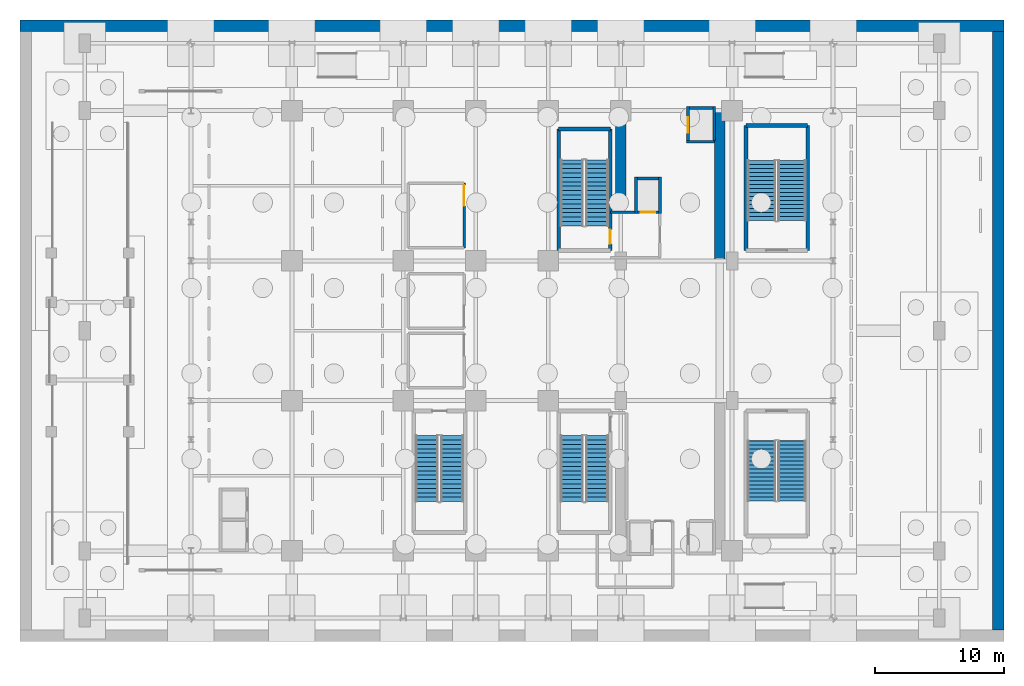
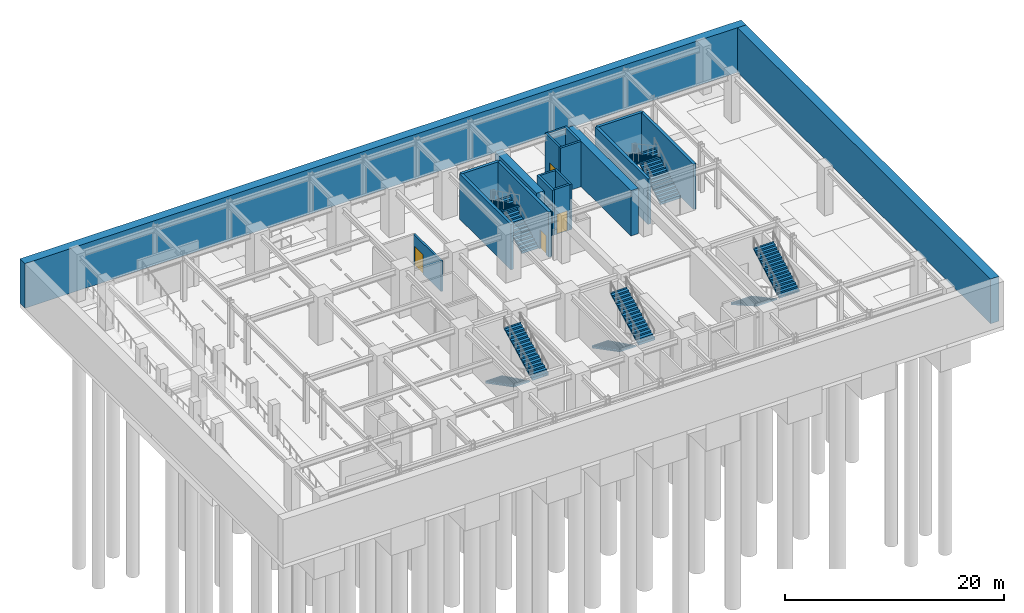
# One storey, part 8 of 14: 20 walls, 10 stair flights, 4 doors, 4 openings, 5 elements without a shape of their own.
"""IFC4 building model written with IfcOpenShell, lengths in metres."""

from ifc_helpers import new_model, si_unit, direction, frame, frame_2d, origin, place, context, subcontext, project, spatial, polyline, rectangle, outline, extrude, source, transform, mapped, material, layer, layer_set, type_object, element, fill, aggregate, save


model = new_model("IFC4")

# Units and contexts
model_context = context("Model", 3, precision=1e-05, world=origin(), true_north=direction((0.0, 1.0)))
body_context = subcontext(model_context, "Body", "Model", "MODEL_VIEW")
ifc_project = project(units=[si_unit("LENGTHUNIT", "METRE"), si_unit("AREAUNIT", "SQUARE_METRE"), si_unit("VOLUMEUNIT", "CUBIC_METRE"), si_unit("PLANEANGLEUNIT", "RADIAN"), si_unit("MASSUNIT", "GRAM", prefix="KILO")], contexts=[model_context])

# Site, building, storey
site_placement = place(None, origin())
site = spatial("IfcSite", under=ifc_project, at=site_placement, CompositionType="ELEMENT")
building_placement = place(site_placement, origin())
building = spatial("IfcBuilding", under=site, at=building_placement, Name="Nahalor Promenade Grand Hotel", CompositionType="ELEMENT")
storey_placement = place(building_placement, frame((0.0, 0.0, -10.800048828125)))
storey = spatial("IfcBuildingStorey", under=building, at=storey_placement, Name="B02", CompositionType="ELEMENT", Elevation=-10.800048828125)

# Walls
ifc_material_1 = material(Name="Concrete B-50 (C40/50)", Category="concrete")
ifc_layer_1 = layer(ifc_material_1, 0.89990234375)
ifc_layer_set_1 = layer_set([ifc_layer_1], Name="Concrete B-50 (C40/50)")
wall_type_1 = type_object("IfcWallType", Name="Wall-Diaphragm-900", PredefinedType="SHEAR", material=ifc_layer_set_1)
shared_shape_1 = source(origin(), body_context, "Body", "SweptSolid", [
    extrude(rectangle(XDim=76.0, YDim=0.89990234375, at=frame_2d((38.0, 0.0))), origin(), (0.0, 0.0, 1.0), 4.97998046875),
])
wall_1_placement = place(storey_placement, frame((-38.0, 23.550048828125, 0.0), z_axis=(0.0, 0.0, 1.0), x_axis=(1.0, 0.0, 0.0)))
element("IfcWall", 1, at=wall_1_placement, inside=storey, type_object=wall_type_1, Name="DW-B02-N", PredefinedType="SHEAR", context=body_context, shape_type="MappedRepresentation", body=[
    mapped(shared_shape_1, transform((0.0, 0.0, 0.0), scale=1.0)),
])
shared_shape_2 = source(origin(), body_context, "Body", "SweptSolid", [
    extrude(rectangle(XDim=46.2001953125, YDim=0.89990234375, at=frame_2d((23.10009765625, 0.0))), origin(), (0.0, 0.0, 1.0), 4.97998046875),
])
wall_2_placement = place(storey_placement, frame((37.550048828125, -23.10009765625, 0.0), z_axis=(0.0, 0.0, 1.0), x_axis=(0.0, 1.0, 0.0)))
element("IfcWall", 2, at=wall_2_placement, inside=storey, type_object=wall_type_1, Name="DW-B02-E", PredefinedType="SHEAR", context=body_context, shape_type="MappedRepresentation", body=[
    mapped(shared_shape_2, transform((0.0, 0.0, 0.0), scale=1.0)),
])
ifc_material_2 = material(Name="Concrete B-70 (C60/75)", Category="concrete")
ifc_layer_2 = layer(ifc_material_2, 0.800048828125)
ifc_layer_set_2 = layer_set([ifc_layer_2], Name="Concrete B-70 (C60/75)")
wall_type_2 = type_object("IfcWallType", Name="Wall-CoreShear-800", PredefinedType="SHEAR", material=ifc_layer_set_2)
shared_shape_3 = source(origin(), body_context, "Body", "SweptSolid", [
    extrude(rectangle(XDim=7.64990234375, YDim=0.800048828125, at=frame_2d((3.824951171875, 0.0))), origin(), (0.0, 0.0, 1.0), 5.050048828125),
])
wall_3_placement = place(storey_placement, frame((8.39990234375, 9.35009765625, 0.0), z_axis=(0.0, 0.0, 1.0), x_axis=(0.0, 1.0, 0.0)))
element("IfcWall", 3, at=wall_3_placement, inside=storey, type_object=wall_type_2, Name="CWALL-B02-NW", PredefinedType="SHEAR", context=body_context, shape_type="MappedRepresentation", body=[
    mapped(shared_shape_3, transform((0.0, 0.0, 0.0), scale=1.0)),
])
shared_shape_4 = source(origin(), body_context, "Body", "SweptSolid", [
    extrude(rectangle(XDim=11.60009765625, YDim=0.800048828125, at=frame_2d((5.800048828125, 0.0))), origin(), (0.0, 0.0, 1.0), 5.050048828125),
])
wall_4_placement = place(storey_placement, frame((16.050048828125, 5.39990234375, 0.0), z_axis=(0.0, 0.0, 1.0), x_axis=(0.0, 1.0, 0.0)))
element("IfcWall", 4, at=wall_4_placement, inside=storey, type_object=wall_type_2, Name="CWALL-B02-NE", PredefinedType="SHEAR", context=body_context, shape_type="MappedRepresentation", body=[
    mapped(shared_shape_4, transform((0.0, 0.0, 0.0), scale=1.0)),
])
ifc_layer_3 = layer(ifc_material_1, 0.300048828125)
ifc_layer_set_3 = layer_set([ifc_layer_3], Name="Concrete B-50 (C40/50)")
wall_type_3 = type_object("IfcWallType", Name="Wall-ShaftShear-300", PredefinedType="SHEAR", material=ifc_layer_set_3)
shared_shape_5 = source(origin(), body_context, "Body", "SweptSolid", [
    extrude(rectangle(XDim=3.97998046875, YDim=0.300048828125, at=frame_2d((1.989990234375, 0.0))), origin(), (0.0, 0.0, 1.0), 5.050048828125),
])
wall_5_placement = place(storey_placement, frame((3.610107421875, 15.590087890625, 0.0), z_axis=(0.0, 0.0, 1.0), x_axis=(1.0, 0.0, 0.0)))
element("IfcWall", 5, at=wall_5_placement, inside=storey, type_object=wall_type_3, Name="B02 Exit Stair ST1 Shaft Wall N", PredefinedType="SHEAR", context=body_context, shape_type="MappedRepresentation", body=[
    mapped(shared_shape_5, transform((0.0, 0.0, 0.0), scale=1.0)),
])
shared_shape_6 = source(origin(), body_context, "Body", "SweptSolid", [
    extrude(rectangle(XDim=9.380126953125, YDim=0.300048828125, at=frame_2d((4.68994140625, 0.0))), origin(), (0.0, 0.0, 1.0), 5.050048828125),
])
wall_6_placement = place(storey_placement, frame((3.610107421875, 6.2099609375, 0.0), z_axis=(0.0, 0.0, 1.0), x_axis=(0.0, 1.0, 0.0)))
element("IfcWall", 6, at=wall_6_placement, inside=storey, type_object=wall_type_3, Name="B02 Exit Stair ST1 Shaft Wall W", PredefinedType="SHEAR", context=body_context, shape_type="MappedRepresentation", body=[
    mapped(shared_shape_6, transform((0.0, 0.0, 0.0), scale=1.0)),
])

# Wall, opening, door
wall_7_placement = place(storey_placement, frame((7.590087890625, 6.2099609375, 0.0), z_axis=(0.0, 0.0, 1.0), x_axis=(0.0, 1.0, 0.0)))
wall_7 = element("IfcWall", 7, at=wall_7_placement, inside=storey, type_object=wall_type_3, Name="B02 Exit Stair ST1 Shaft Wall E", PredefinedType="SHEAR", context=body_context, shape_type="MappedRepresentation", body=[
    mapped(shared_shape_6, transform((0.0, 0.0, 0.0), scale=1.0)),
])
opening_1_placement = place(wall_7_placement, frame((0.489990234375, 0.0, 0.0)))
opening_1 = element("IfcOpeningElement", 8, at=opening_1_placement, cuts=wall_7, Name="Opening D-ST1", PredefinedType="OPENING", context=body_context, shape_type="SweptSolid", body=[
    extrude(rectangle(XDim=1.10009765625, YDim=2.14990234375, at=frame_2d((0.550048828125, 1.074951171875))), frame((0.0, 0.159912109375, 0.0), z_axis=(0.0, -1.0, 0.0), x_axis=(1.0, 0.0, 0.0)), (0.0, 0.0, 1.0), 0.320068359375),
])
ifc_material_3 = material(Name="Steel S355JR", Category="steel")
door_type_1 = type_object("IfcDoorType", Name="Door-StairFire-1100", OperationType="NOTDEFINED", PredefinedType="DOOR", material=ifc_material_3)
shared_shape_7 = source(origin(), body_context, "Body", "SweptSolid", [
    extrude(rectangle(XDim=1.10009765625, YDim=2.14990234375, at=frame_2d((0.550048828125, 1.074951171875))), frame((0.0, 0.02490234375, 0.0), z_axis=(0.0, -1.0, 0.0), x_axis=(1.0, 0.0, 0.0)), (0.0, 0.0, 1.0), 0.050048828125),
])
door_1_placement = place(opening_1_placement, origin())
door_1 = element("IfcDoor", 9, at=door_1_placement, inside=storey, type_object=door_type_1, Name="DR-STAIR-ST1-B02", OperationType="SINGLE_SWING_LEFT", OverallHeight=2.14990234375, OverallWidth=1.10009765625, PredefinedType="DOOR", context=body_context, shape_type="MappedRepresentation", body=[
    mapped(shared_shape_7, transform((0.0, 0.0, 0.0), scale=1.0)),
])
fill(opening_1, door_1)

# Walls
shared_shape_8 = source(origin(), body_context, "Body", "SweptSolid", [
    extrude(rectangle(XDim=4.780029296875, YDim=0.300048828125, at=frame_2d((2.39013671875, 0.0))), origin(), (0.0, 0.0, 1.0), 5.050048828125),
])
wall_8_placement = place(storey_placement, frame((18.06005859375, 15.840087890625, 0.0), z_axis=(0.0, 0.0, 1.0), x_axis=(1.0, 0.0, 0.0)))
element("IfcWall", 10, at=wall_8_placement, inside=storey, type_object=wall_type_3, Name="B02 Exit Stair ST4 Shaft Wall N", PredefinedType="SHEAR", context=body_context, shape_type="MappedRepresentation", body=[
    mapped(shared_shape_8, transform((0.0, 0.0, 0.0), scale=1.0)),
])
shared_shape_9 = source(origin(), body_context, "Body", "SweptSolid", [
    extrude(rectangle(XDim=9.630126953125, YDim=0.300048828125, at=frame_2d((4.81494140625, 0.0))), origin(), (0.0, 0.0, 1.0), 5.050048828125),
])
for number, where, z_axis, x_axis, name in (
    (11, (18.06005859375, 6.2099609375, 0.0), (0.0, 0.0, 1.0), (0.0, 1.0, 0.0), "B02 Exit Stair ST4 Shaft Wall W"),
    (12, (22.840087890625, 6.2099609375, 0.0), (0.0, 0.0, 1.0), (0.0, 1.0, 0.0), "B02 Exit Stair ST4 Shaft Wall E"),
):
    element("IfcWall", number, at=place(storey_placement, frame(where, z_axis=z_axis, x_axis=x_axis)), inside=storey, type_object=wall_type_3, Name=name, PredefinedType="SHEAR", context=body_context, shape_type="MappedRepresentation", body=[
        mapped(shared_shape_9, transform((0.0, 0.0, 0.0), scale=1.0)),
    ])
ifc_layer_4 = layer(ifc_material_1, 0.219970703125)
ifc_layer_set_4 = layer_set([ifc_layer_4], Name="Concrete B-50 (C40/50)")
wall_type_4 = type_object("IfcWallType", Name="Wall-LiftShaft-220", PredefinedType="SHEAR", material=ifc_layer_set_4)
shared_shape_10 = source(origin(), body_context, "Body", "SweptSolid", [
    extrude(rectangle(XDim=2.820068359375, YDim=0.219970703125, at=frame_2d((1.41015625, 0.0))), origin(), (0.0, 0.0, 1.0), 5.050048828125),
])
for number, where, z_axis, x_axis, name in (
    (13, (9.580078125, 9.0400390625, 0.0), (0.0, 0.0, 1.0), (0.0, 1.0, 0.0), "B02 Lift FL1 Hoistway Wall W"),
    (14, (11.419921875, 9.0400390625, 0.0), (0.0, 0.0, 1.0), (0.0, 1.0, 0.0), "B02 Lift FL1 Hoistway Wall E"),
):
    element("IfcWall", number, at=place(storey_placement, frame(where, z_axis=z_axis, x_axis=x_axis)), inside=storey, type_object=wall_type_4, Name=name, PredefinedType="SHEAR", context=body_context, shape_type="MappedRepresentation", body=[
        mapped(shared_shape_10, transform((0.0, 0.0, 0.0), scale=1.0)),
    ])

# Wall, opening, door
shared_shape_11 = source(origin(), body_context, "Body", "SweptSolid", [
    extrude(rectangle(XDim=1.6201171875, YDim=0.219970703125, at=frame_2d((0.81005859375, 0.0))), origin(), (0.0, 0.0, 1.0), 5.050048828125),
])
wall_9_placement = place(storey_placement, frame((9.68994140625, 9.14990234375, 0.0), z_axis=(0.0, 0.0, 1.0), x_axis=(1.0, 0.0, 0.0)))
wall_9 = element("IfcWall", 15, at=wall_9_placement, inside=storey, type_object=wall_type_4, Name="B02 Lift FL1 Hoistway Wall S", PredefinedType="SHEAR", context=body_context, shape_type="MappedRepresentation", body=[
    mapped(shared_shape_11, transform((0.0, 0.0, 0.0), scale=1.0)),
])
opening_2_placement = place(wall_9_placement, frame((0.260009765625, 0.0, 0.0)))
opening_2 = element("IfcOpeningElement", 16, at=opening_2_placement, cuts=wall_9, Name="Opening LD-02", PredefinedType="OPENING", context=body_context, shape_type="SweptSolid", body=[
    extrude(rectangle(XDim=1.10009765625, YDim=2.199951171875, at=frame_2d((0.550048828125, 1.10009765625))), frame((0.0, 0.119873046875, 0.0), z_axis=(0.0, -1.0, 0.0), x_axis=(1.0, 0.0, 0.0)), (0.0, 0.0, 1.0), 0.239990234375),
])
door_type_2 = type_object("IfcDoorType", Name="Door-LiftFF-1100", OperationType="DOUBLE_DOOR_SLIDING", PredefinedType="DOOR", material=ifc_material_3)
shared_shape_12 = source(origin(), body_context, "Body", "SweptSolid", [
    extrude(rectangle(XDim=1.10009765625, YDim=2.199951171875, at=frame_2d((0.550048828125, 1.10009765625))), frame((0.0, 0.02490234375, 0.0), z_axis=(0.0, -1.0, 0.0), x_axis=(1.0, 0.0, 0.0)), (0.0, 0.0, 1.0), 0.050048828125),
])
door_2_placement = place(opening_2_placement, frame((1.10009765625, 0.0, 0.0), z_axis=(0.0, 0.0, 1.0), x_axis=(-1.0, 0.0, 0.0)))
door_2 = element("IfcDoor", 17, at=door_2_placement, inside=storey, type_object=door_type_2, Name="DR-LIFT-FL1-B02", OperationType="DOUBLE_DOOR_SLIDING", OverallHeight=2.199951171875, OverallWidth=1.10009765625, PredefinedType="DOOR", context=body_context, shape_type="MappedRepresentation", body=[
    mapped(shared_shape_12, transform((0.0, 0.0, 0.0), scale=1.0)),
])
fill(opening_2, door_2)

# Wall
wall_10_placement = place(storey_placement, frame((9.68994140625, 11.75, 0.0), z_axis=(0.0, 0.0, 1.0), x_axis=(1.0, 0.0, 0.0)))
element("IfcWall", 18, at=wall_10_placement, inside=storey, type_object=wall_type_4, Name="B02 Lift FL1 Hoistway Wall N", PredefinedType="SHEAR", context=body_context, shape_type="MappedRepresentation", body=[
    mapped(shared_shape_11, transform((0.0, 0.0, 0.0), scale=1.0)),
])

# Wall, opening, door
shared_shape_13 = source(origin(), body_context, "Body", "SweptSolid", [
    extrude(rectangle(XDim=2.60009765625, YDim=0.219970703125, at=frame_2d((1.300048828125, 0.0))), origin(), (0.0, 0.0, 1.0), 5.050048828125),
])
wall_11_placement = place(storey_placement, frame((13.580078125, 14.7099609375, 0.0), z_axis=(0.0, 0.0, 1.0), x_axis=(0.0, 1.0, 0.0)))
wall_11 = element("IfcWall", 19, at=wall_11_placement, inside=storey, type_object=wall_type_4, Name="B02 Lift SV1 Hoistway Wall W", PredefinedType="SHEAR", context=body_context, shape_type="MappedRepresentation", body=[
    mapped(shared_shape_13, transform((0.0, 0.0, 0.0), scale=1.0)),
])
opening_3_placement = place(wall_11_placement, frame((0.590087890625, 0.0, 0.0)))
opening_3 = element("IfcOpeningElement", 20, at=opening_3_placement, cuts=wall_11, Name="Opening LD-03", PredefinedType="OPENING", context=body_context, shape_type="SweptSolid", body=[
    extrude(rectangle(XDim=1.199951171875, YDim=2.199951171875, at=frame_2d((0.60009765625, 1.10009765625))), frame((0.0, 0.119873046875, 0.0), z_axis=(0.0, -1.0, 0.0), x_axis=(1.0, 0.0, 0.0)), (0.0, 0.0, 1.0), 0.239990234375),
])
door_type_3 = type_object("IfcDoorType", Name="Door-LiftService-1200", OperationType="DOUBLE_DOOR_SLIDING", PredefinedType="DOOR", material=ifc_material_3)
shared_shape_14 = source(origin(), body_context, "Body", "SweptSolid", [
    extrude(rectangle(XDim=1.199951171875, YDim=2.199951171875, at=frame_2d((0.60009765625, 1.10009765625))), frame((0.0, 0.02490234375, 0.0), z_axis=(0.0, -1.0, 0.0), x_axis=(1.0, 0.0, 0.0)), (0.0, 0.0, 1.0), 0.050048828125),
])
door_3_placement = place(opening_3_placement, origin())
door_3 = element("IfcDoor", 21, at=door_3_placement, inside=storey, type_object=door_type_3, Name="DR-LIFT-SV1-B02", OperationType="DOUBLE_DOOR_SLIDING", OverallHeight=2.199951171875, OverallWidth=1.199951171875, PredefinedType="DOOR", context=body_context, shape_type="MappedRepresentation", body=[
    mapped(shared_shape_14, transform((0.0, 0.0, 0.0), scale=1.0)),
])
fill(opening_3, door_3)

# Walls
wall_12_placement = place(storey_placement, frame((15.6201171875, 14.7099609375, 0.0), z_axis=(0.0, 0.0, 1.0), x_axis=(0.0, 1.0, 0.0)))
element("IfcWall", 22, at=wall_12_placement, inside=storey, type_object=wall_type_4, Name="B02 Lift SV1 Hoistway Wall E", PredefinedType="SHEAR", context=body_context, shape_type="MappedRepresentation", body=[
    mapped(shared_shape_13, transform((0.0, 0.0, 0.0), scale=1.0)),
])
shared_shape_15 = source(origin(), body_context, "Body", "SweptSolid", [
    extrude(rectangle(XDim=2.179931640625, YDim=0.219970703125, at=frame_2d((1.08984375, 0.0))), origin(), (0.0, 0.0, 1.0), 5.050048828125),
])
wall_13_placement = place(storey_placement, frame((13.469970703125, 14.60009765625, 0.0), z_axis=(0.0, 0.0, 1.0), x_axis=(1.0, 0.0, 0.0)))
element("IfcWall", 23, at=wall_13_placement, inside=storey, type_object=wall_type_4, Name="B02 Lift SV1 Hoistway Wall S", PredefinedType="SHEAR", context=body_context, shape_type="MappedRepresentation", body=[
    mapped(shared_shape_15, transform((0.0, 0.0, 0.0), scale=1.0)),
])
shared_shape_16 = source(origin(), body_context, "Body", "SweptSolid", [
    extrude(rectangle(XDim=1.820068359375, YDim=0.219970703125, at=frame_2d((0.91015625, 0.0))), origin(), (0.0, 0.0, 1.0), 5.050048828125),
])
wall_14_placement = place(storey_placement, frame((13.68994140625, 17.199951171875, 0.0), z_axis=(0.0, 0.0, 1.0), x_axis=(1.0, 0.0, 0.0)))
element("IfcWall", 24, at=wall_14_placement, inside=storey, type_object=wall_type_4, Name="B02 Lift SV1 Hoistway Wall N", PredefinedType="SHEAR", context=body_context, shape_type="MappedRepresentation", body=[
    mapped(shared_shape_16, transform((0.0, 0.0, 0.0), scale=1.0)),
])
ifc_material_4 = material(Name="Concrete B-40 (C32/40)", Category="concrete")
ifc_layer_5 = layer(ifc_material_4, 0.199951171875)
ifc_layer_set_5 = layer_set([ifc_layer_5], Name="Concrete B-40 (C32/40)")
wall_type_5 = type_object("IfcWallType", Name="Wall-PartFire-200", PredefinedType="PARTITIONING", material=ifc_layer_set_5)
shared_shape_17 = source(origin(), body_context, "Body", "SweptSolid", [
    extrude(rectangle(XDim=1.89990234375, YDim=0.199951171875, at=frame_2d((0.949951171875, 0.0))), origin(), (0.0, 0.0, 1.0), 3.400146484375),
])
wall_15_placement = place(storey_placement, frame((7.60009765625, 9.14990234375, 0.0), z_axis=(0.0, 0.0, 1.0), x_axis=(1.0, 0.0, 0.0)))
element("IfcWall", 25, at=wall_15_placement, inside=storey, type_object=wall_type_5, Name="W-B02-FF1-N", PredefinedType="PARTITIONING", context=body_context, shape_type="MappedRepresentation", body=[
    mapped(shared_shape_17, transform((0.0, 0.0, 0.0), scale=1.0)),
])

# Wall, opening, door
shared_shape_18 = source(origin(), body_context, "Body", "SweptSolid", [
    extrude(rectangle(XDim=5.0, YDim=0.199951171875, at=frame_2d((2.5, 0.0))), origin(), (0.0, 0.0, 1.0), 3.400146484375),
])
wall_16_placement = place(storey_placement, frame((-3.699951171875, 6.39990234375, 0.0), z_axis=(0.0, 0.0, 1.0), x_axis=(0.0, 1.0, 0.0)))
wall_16 = element("IfcWall", 26, at=wall_16_placement, inside=storey, type_object=wall_type_5, Name="W-B02-BPL3-E", PredefinedType="PARTITIONING", context=body_context, shape_type="MappedRepresentation", body=[
    mapped(shared_shape_18, transform((0.0, 0.0, 0.0), scale=1.0)),
])
opening_4_placement = place(wall_16_placement, frame((3.242919921875, 0.0, 0.0)))
opening_4 = element("IfcOpeningElement", 27, at=opening_4_placement, cuts=wall_16, Name="Opening D-06", PredefinedType="OPENING", context=body_context, shape_type="SweptSolid", body=[
    extrude(rectangle(XDim=1.60009765625, YDim=2.14990234375, at=frame_2d((0.800048828125, 1.074951171875))), frame((0.0, 0.10986328125, 0.0), z_axis=(0.0, -1.0, 0.0), x_axis=(1.0, 0.0, 0.0)), (0.0, 0.0, 1.0), 0.219970703125),
])
door_type_4 = type_object("IfcDoorType", Name="Door-PlantDouble-1600", OperationType="DOUBLE_DOOR_SINGLE_SWING", PredefinedType="DOOR", material=ifc_material_3)
shared_shape_19 = source(origin(), body_context, "Body", "SweptSolid", [
    extrude(rectangle(XDim=1.60009765625, YDim=2.14990234375, at=frame_2d((0.800048828125, 1.074951171875))), frame((0.0, 0.02490234375, 0.0), z_axis=(0.0, -1.0, 0.0), x_axis=(1.0, 0.0, 0.0)), (0.0, 0.0, 1.0), 0.050048828125),
])
door_4_placement = place(opening_4_placement, origin())
door_4 = element("IfcDoor", 28, at=door_4_placement, inside=storey, type_object=door_type_4, Name="DR-B02-BPL3", OperationType="DOUBLE_DOOR_SINGLE_SWING", OverallHeight=2.14990234375, OverallWidth=1.60009765625, PredefinedType="DOOR", context=body_context, shape_type="MappedRepresentation", body=[
    mapped(shared_shape_19, transform((0.0, 0.0, 0.0), scale=1.0)),
])
fill(opening_4, door_4)

# Stair, stair flights
stair_type_1 = type_object("IfcStairType", Name="Stair-ST1", PredefinedType="HALF_TURN_STAIR", material=ifc_material_1)
stair_1_placement = place(storey_placement, origin())
stair_1 = element("IfcStair", 29, at=stair_1_placement, inside=storey, type_object=stair_type_1, Name="B02 ST1", PredefinedType="HALF_TURN_STAIR")
ifc_layer_6 = layer(ifc_material_1, 0.179931640625)
ifc_layer_set_6 = layer_set([ifc_layer_6], Name="Concrete B-50 (C40/50)")
stair_flight_type_1 = type_object("IfcStairFlightType", Name="Flight-ST1", PredefinedType="STRAIGHT", material=ifc_layer_set_6)
shared_shape_20 = source(origin(), body_context, "Body", "SweptSolid", [
    extrude(outline(polyline([(-0.00390625, -0.1201171875), (-0.00390625, 0.0), (0.0, 0.0), (0.0, 0.168701171875), (0.340087890625, 0.168701171875), (0.340087890625, 0.33740234375), (0.679931640625, 0.33740234375), (0.679931640625, 0.50634765625), (1.02001953125, 0.50634765625), (1.02001953125, 0.675048828125), (1.360107421875, 0.675048828125), (1.360107421875, 0.84375), (1.699951171875, 0.84375), (1.699951171875, 1.012451171875), (2.0400390625, 1.012451171875), (2.0400390625, 1.18115234375), (2.3798828125, 1.18115234375), (2.3798828125, 1.35009765625), (2.719970703125, 1.35009765625), (2.719970703125, 1.518798828125), (3.06005859375, 1.518798828125), (3.06005859375, 1.6875), (3.39990234375, 1.6875), (3.39990234375, 1.856201171875), (3.739990234375, 1.856201171875), (3.739990234375, 2.02490234375), (4.080078125, 2.02490234375), (4.080078125, 2.19384765625), (4.419921875, 2.19384765625), (4.419921875, 2.362548828125), (4.760009765625, 2.362548828125), (4.760009765625, 2.53125), (5.10009765625, 2.53125), (5.10009765625, 2.699951171875), (5.10400390625, 2.699951171875), (5.10400390625, 2.52001953125), (0.02001953125, -0.1201171875), (-0.00390625, -0.1201171875)])), frame((0.0, 0.875, 0.0), z_axis=(0.0, -1.0, 0.0), x_axis=(1.0, 0.0, 0.0)), (0.0, 0.0, 1.0), 1.75),
])
stair_flight_1_placement = place(storey_placement, frame((6.574951171875, 8.10009765625, 0.0), z_axis=(0.0, 0.0, 1.0), x_axis=(0.0, 1.0, 0.0)))
stair_flight_1 = element("IfcStairFlight", 30, at=stair_flight_1_placement, type_object=stair_flight_type_1, Name="ST1 flight 1", NumberOfRisers=16, NumberOfTreads=15, PredefinedType="STRAIGHT", RiserHeight=0.16875, TreadLength=0.34, context=body_context, shape_type="MappedRepresentation", body=[
    mapped(shared_shape_20, transform((0.0, 0.0, 0.0), scale=1.0)),
])
stair_flight_2_placement = place(storey_placement, frame((4.625, 13.199951171875, 2.699951171875), z_axis=(0.0, 0.0, 1.0), x_axis=(0.0, -1.0, 0.0)))
stair_flight_2 = element("IfcStairFlight", 31, at=stair_flight_2_placement, type_object=stair_flight_type_1, Name="ST1 flight 2", NumberOfRisers=16, NumberOfTreads=15, PredefinedType="STRAIGHT", RiserHeight=0.16875, TreadLength=0.34, context=body_context, shape_type="MappedRepresentation", body=[
    mapped(shared_shape_20, transform((0.0, 0.0, 0.0), scale=1.0)),
])
aggregate(stair_1, [stair_flight_1, stair_flight_2])

stair_type_2 = type_object("IfcStairType", Name="Stair-ST2", PredefinedType="HALF_TURN_STAIR", material=ifc_material_1)
stair_2_placement = place(storey_placement, origin())
stair_2 = element("IfcStair", 32, at=stair_2_placement, inside=storey, type_object=stair_type_2, Name="B02 ST2", PredefinedType="HALF_TURN_STAIR")
ifc_layer_7 = layer(ifc_material_1, 0.18994140625)
ifc_layer_set_7 = layer_set([ifc_layer_7], Name="Concrete B-50 (C40/50)")
stair_flight_type_2 = type_object("IfcStairFlightType", Name="Flight-ST2", PredefinedType="STRAIGHT", material=ifc_layer_set_7)
shared_shape_21 = source(origin(), body_context, "Body", "SweptSolid", [
    extrude(outline(polyline([(-0.00390625, -0.1201171875), (-0.00390625, 0.0), (0.0, 0.0), (0.0, 0.168701171875), (0.340087890625, 0.168701171875), (0.340087890625, 0.33740234375), (0.679931640625, 0.33740234375), (0.679931640625, 0.50634765625), (1.02001953125, 0.50634765625), (1.02001953125, 0.675048828125), (1.360107421875, 0.675048828125), (1.360107421875, 0.84375), (1.699951171875, 0.84375), (1.699951171875, 1.012451171875), (2.0400390625, 1.012451171875), (2.0400390625, 1.18115234375), (2.3798828125, 1.18115234375), (2.3798828125, 1.35009765625), (2.719970703125, 1.35009765625), (2.719970703125, 1.518798828125), (3.06005859375, 1.518798828125), (3.06005859375, 1.6875), (3.39990234375, 1.6875), (3.39990234375, 1.856201171875), (3.739990234375, 1.856201171875), (3.739990234375, 2.02490234375), (4.080078125, 2.02490234375), (4.080078125, 2.19384765625), (4.419921875, 2.19384765625), (4.419921875, 2.362548828125), (4.760009765625, 2.362548828125), (4.760009765625, 2.53125), (5.10009765625, 2.53125), (5.10009765625, 2.699951171875), (5.10400390625, 2.699951171875), (5.10400390625, 2.52001953125), (0.02001953125, -0.1201171875), (-0.00390625, -0.1201171875)])), frame((0.0, 0.875, 0.0), z_axis=(0.0, -1.0, 0.0), x_axis=(1.0, 0.0, 0.0)), (0.0, 0.0, 1.0), 1.75),
])
stair_flight_3_placement = place(storey_placement, frame((4.625, -8.10009765625, 0.0), z_axis=(0.0, 0.0, 1.0), x_axis=(0.0, -1.0, 0.0)))
stair_flight_3 = element("IfcStairFlight", 33, at=stair_flight_3_placement, type_object=stair_flight_type_2, Name="ST2 flight 1", NumberOfRisers=16, NumberOfTreads=15, PredefinedType="STRAIGHT", RiserHeight=0.16875, TreadLength=0.34, context=body_context, shape_type="MappedRepresentation", body=[
    mapped(shared_shape_21, transform((0.0, 0.0, 0.0), scale=1.0)),
])
stair_flight_4_placement = place(storey_placement, frame((6.574951171875, -13.199951171875, 2.699951171875), z_axis=(0.0, 0.0, 1.0), x_axis=(0.0, 1.0, 0.0)))
stair_flight_4 = element("IfcStairFlight", 34, at=stair_flight_4_placement, type_object=stair_flight_type_2, Name="ST2 flight 2", NumberOfRisers=16, NumberOfTreads=15, PredefinedType="STRAIGHT", RiserHeight=0.16875, TreadLength=0.34, context=body_context, shape_type="MappedRepresentation", body=[
    mapped(shared_shape_21, transform((0.0, 0.0, 0.0), scale=1.0)),
])
aggregate(stair_2, [stair_flight_3, stair_flight_4])

stair_type_3 = type_object("IfcStairType", Name="Stair-ST3", PredefinedType="HALF_TURN_STAIR", material=ifc_material_1)
stair_3_placement = place(storey_placement, origin())
stair_3 = element("IfcStair", 35, at=stair_3_placement, inside=storey, type_object=stair_type_3, Name="B02 ST3", PredefinedType="HALF_TURN_STAIR")
ifc_layer_8 = layer(ifc_material_1, 0.199951171875)
ifc_layer_set_8 = layer_set([ifc_layer_8], Name="Concrete B-50 (C40/50)")
stair_flight_type_3 = type_object("IfcStairFlightType", Name="Flight-ST3", PredefinedType="STRAIGHT", material=ifc_layer_set_8)
shared_shape_22 = source(origin(), body_context, "Body", "SweptSolid", [
    extrude(outline(polyline([(-0.00390625, -0.1201171875), (-0.00390625, 0.0), (0.0, 0.0), (0.0, 0.168701171875), (0.340087890625, 0.168701171875), (0.340087890625, 0.33740234375), (0.679931640625, 0.33740234375), (0.679931640625, 0.50634765625), (1.02001953125, 0.50634765625), (1.02001953125, 0.675048828125), (1.360107421875, 0.675048828125), (1.360107421875, 0.84375), (1.699951171875, 0.84375), (1.699951171875, 1.012451171875), (2.0400390625, 1.012451171875), (2.0400390625, 1.18115234375), (2.3798828125, 1.18115234375), (2.3798828125, 1.35009765625), (2.719970703125, 1.35009765625), (2.719970703125, 1.518798828125), (3.06005859375, 1.518798828125), (3.06005859375, 1.6875), (3.39990234375, 1.6875), (3.39990234375, 1.856201171875), (3.739990234375, 1.856201171875), (3.739990234375, 2.02490234375), (4.080078125, 2.02490234375), (4.080078125, 2.19384765625), (4.419921875, 2.19384765625), (4.419921875, 2.362548828125), (4.760009765625, 2.362548828125), (4.760009765625, 2.53125), (5.10009765625, 2.53125), (5.10009765625, 2.699951171875), (5.10400390625, 2.699951171875), (5.10400390625, 2.52001953125), (0.02001953125, -0.1201171875), (-0.00390625, -0.1201171875)])), frame((0.0, 0.875, 0.0), z_axis=(0.0, -1.0, 0.0), x_axis=(1.0, 0.0, 0.0)), (0.0, 0.0, 1.0), 1.75),
])
stair_flight_5_placement = place(storey_placement, frame((-6.574951171875, -8.10009765625, 0.0), z_axis=(0.0, 0.0, 1.0), x_axis=(0.0, -1.0, 0.0)))
stair_flight_5 = element("IfcStairFlight", 36, at=stair_flight_5_placement, type_object=stair_flight_type_3, Name="ST3 flight 1", NumberOfRisers=16, NumberOfTreads=15, PredefinedType="STRAIGHT", RiserHeight=0.16875, TreadLength=0.34, context=body_context, shape_type="MappedRepresentation", body=[
    mapped(shared_shape_22, transform((0.0, 0.0, 0.0), scale=1.0)),
])
stair_flight_6_placement = place(storey_placement, frame((-4.625, -13.199951171875, 2.699951171875), z_axis=(0.0, 0.0, 1.0), x_axis=(0.0, 1.0, 0.0)))
stair_flight_6 = element("IfcStairFlight", 37, at=stair_flight_6_placement, type_object=stair_flight_type_3, Name="ST3 flight 2", NumberOfRisers=16, NumberOfTreads=15, PredefinedType="STRAIGHT", RiserHeight=0.16875, TreadLength=0.34, context=body_context, shape_type="MappedRepresentation", body=[
    mapped(shared_shape_22, transform((0.0, 0.0, 0.0), scale=1.0)),
])
aggregate(stair_3, [stair_flight_5, stair_flight_6])

stair_type_4 = type_object("IfcStairType", Name="Stair-ST4", PredefinedType="HALF_TURN_STAIR", material=ifc_material_1)
stair_4_placement = place(storey_placement, origin())
stair_4 = element("IfcStair", 38, at=stair_4_placement, inside=storey, type_object=stair_type_4, Name="B02 ST4", PredefinedType="HALF_TURN_STAIR")
ifc_layer_9 = layer(ifc_material_1, 0.2099609375)
ifc_layer_set_9 = layer_set([ifc_layer_9], Name="Concrete B-50 (C40/50)")
stair_flight_type_4 = type_object("IfcStairFlightType", Name="Flight-ST4", PredefinedType="STRAIGHT", material=ifc_layer_set_9)
shared_shape_23 = source(origin(), body_context, "Body", "SweptSolid", [
    extrude(outline(polyline([(-0.00390625, -0.1201171875), (-0.00390625, 0.0), (0.0, 0.0), (0.0, 0.168701171875), (0.31005859375, 0.168701171875), (0.31005859375, 0.33740234375), (0.6201171875, 0.33740234375), (0.6201171875, 0.50634765625), (0.929931640625, 0.50634765625), (0.929931640625, 0.675048828125), (1.239990234375, 0.675048828125), (1.239990234375, 0.84375), (1.550048828125, 0.84375), (1.550048828125, 1.012451171875), (1.860107421875, 1.012451171875), (1.860107421875, 1.18115234375), (2.169921875, 1.18115234375), (2.169921875, 1.35009765625), (2.47998046875, 1.35009765625), (2.47998046875, 1.518798828125), (2.7900390625, 1.518798828125), (2.7900390625, 1.6875), (3.10009765625, 1.6875), (3.10009765625, 1.856201171875), (3.409912109375, 1.856201171875), (3.409912109375, 2.02490234375), (3.719970703125, 2.02490234375), (3.719970703125, 2.19384765625), (4.030029296875, 2.19384765625), (4.030029296875, 2.362548828125), (4.340087890625, 2.362548828125), (4.340087890625, 2.53125), (4.64990234375, 2.53125), (4.64990234375, 2.699951171875), (4.654052734375, 2.699951171875), (4.654052734375, 2.52001953125), (0.02001953125, -0.1201171875), (-0.00390625, -0.1201171875)])), frame((0.0, 1.074951171875, 0.0), z_axis=(0.0, -1.0, 0.0), x_axis=(1.0, 0.0, 0.0)), (0.0, 0.0, 1.0), 2.14990234375),
])
stair_flight_7_placement = place(storey_placement, frame((21.625, 8.5, 0.0), z_axis=(0.0, 0.0, 1.0), x_axis=(0.0, 1.0, 0.0)))
stair_flight_7 = element("IfcStairFlight", 39, at=stair_flight_7_placement, type_object=stair_flight_type_4, Name="ST4 flight 1", NumberOfRisers=16, NumberOfTreads=15, PredefinedType="STRAIGHT", RiserHeight=0.16875, TreadLength=0.31, context=body_context, shape_type="MappedRepresentation", body=[
    mapped(shared_shape_23, transform((0.0, 0.0, 0.0), scale=1.0)),
])
stair_flight_8_placement = place(storey_placement, frame((19.27490234375, 13.14990234375, 2.699951171875), z_axis=(0.0, 0.0, 1.0), x_axis=(0.0, -1.0, 0.0)))
stair_flight_8 = element("IfcStairFlight", 40, at=stair_flight_8_placement, type_object=stair_flight_type_4, Name="ST4 flight 2", NumberOfRisers=16, NumberOfTreads=15, PredefinedType="STRAIGHT", RiserHeight=0.16875, TreadLength=0.31, context=body_context, shape_type="MappedRepresentation", body=[
    mapped(shared_shape_23, transform((0.0, 0.0, 0.0), scale=1.0)),
])
aggregate(stair_4, [stair_flight_7, stair_flight_8])

stair_type_5 = type_object("IfcStairType", Name="Stair-ST5", PredefinedType="HALF_TURN_STAIR", material=ifc_material_1)
stair_5_placement = place(storey_placement, origin())
stair_5 = element("IfcStair", 41, at=stair_5_placement, inside=storey, type_object=stair_type_5, Name="B02 ST5", PredefinedType="HALF_TURN_STAIR")
ifc_layer_10 = layer(ifc_material_1, 0.219970703125)
ifc_layer_set_10 = layer_set([ifc_layer_10], Name="Concrete B-50 (C40/50)")
stair_flight_type_5 = type_object("IfcStairFlightType", Name="Flight-ST5", PredefinedType="STRAIGHT", material=ifc_layer_set_10)
shared_shape_24 = source(origin(), body_context, "Body", "SweptSolid", [
    extrude(outline(polyline([(-0.00390625, -0.1201171875), (-0.00390625, 0.0), (0.0, 0.0), (0.0, 0.168701171875), (0.31005859375, 0.168701171875), (0.31005859375, 0.33740234375), (0.6201171875, 0.33740234375), (0.6201171875, 0.50634765625), (0.929931640625, 0.50634765625), (0.929931640625, 0.675048828125), (1.239990234375, 0.675048828125), (1.239990234375, 0.84375), (1.550048828125, 0.84375), (1.550048828125, 1.012451171875), (1.860107421875, 1.012451171875), (1.860107421875, 1.18115234375), (2.169921875, 1.18115234375), (2.169921875, 1.35009765625), (2.47998046875, 1.35009765625), (2.47998046875, 1.518798828125), (2.7900390625, 1.518798828125), (2.7900390625, 1.6875), (3.10009765625, 1.6875), (3.10009765625, 1.856201171875), (3.409912109375, 1.856201171875), (3.409912109375, 2.02490234375), (3.719970703125, 2.02490234375), (3.719970703125, 2.19384765625), (4.030029296875, 2.19384765625), (4.030029296875, 2.362548828125), (4.340087890625, 2.362548828125), (4.340087890625, 2.53125), (4.64990234375, 2.53125), (4.64990234375, 2.699951171875), (4.654052734375, 2.699951171875), (4.654052734375, 2.52001953125), (0.02001953125, -0.1201171875), (-0.00390625, -0.1201171875)])), frame((0.0, 1.074951171875, 0.0), z_axis=(0.0, -1.0, 0.0), x_axis=(1.0, 0.0, 0.0)), (0.0, 0.0, 1.0), 2.14990234375),
])
stair_flight_9_placement = place(storey_placement, frame((19.27490234375, -8.5, 0.0), z_axis=(0.0, 0.0, 1.0), x_axis=(0.0, -1.0, 0.0)))
stair_flight_9 = element("IfcStairFlight", 42, at=stair_flight_9_placement, type_object=stair_flight_type_5, Name="ST5 flight 1", NumberOfRisers=16, NumberOfTreads=15, PredefinedType="STRAIGHT", RiserHeight=0.16875, TreadLength=0.31, context=body_context, shape_type="MappedRepresentation", body=[
    mapped(shared_shape_24, transform((0.0, 0.0, 0.0), scale=1.0)),
])
stair_flight_10_placement = place(storey_placement, frame((21.625, -13.14990234375, 2.699951171875), z_axis=(0.0, 0.0, 1.0), x_axis=(0.0, 1.0, 0.0)))
stair_flight_10 = element("IfcStairFlight", 43, at=stair_flight_10_placement, type_object=stair_flight_type_5, Name="ST5 flight 2", NumberOfRisers=16, NumberOfTreads=15, PredefinedType="STRAIGHT", RiserHeight=0.16875, TreadLength=0.31, context=body_context, shape_type="MappedRepresentation", body=[
    mapped(shared_shape_24, transform((0.0, 0.0, 0.0), scale=1.0)),
])
aggregate(stair_5, [stair_flight_9, stair_flight_10])

save(model, "model.ifc")
